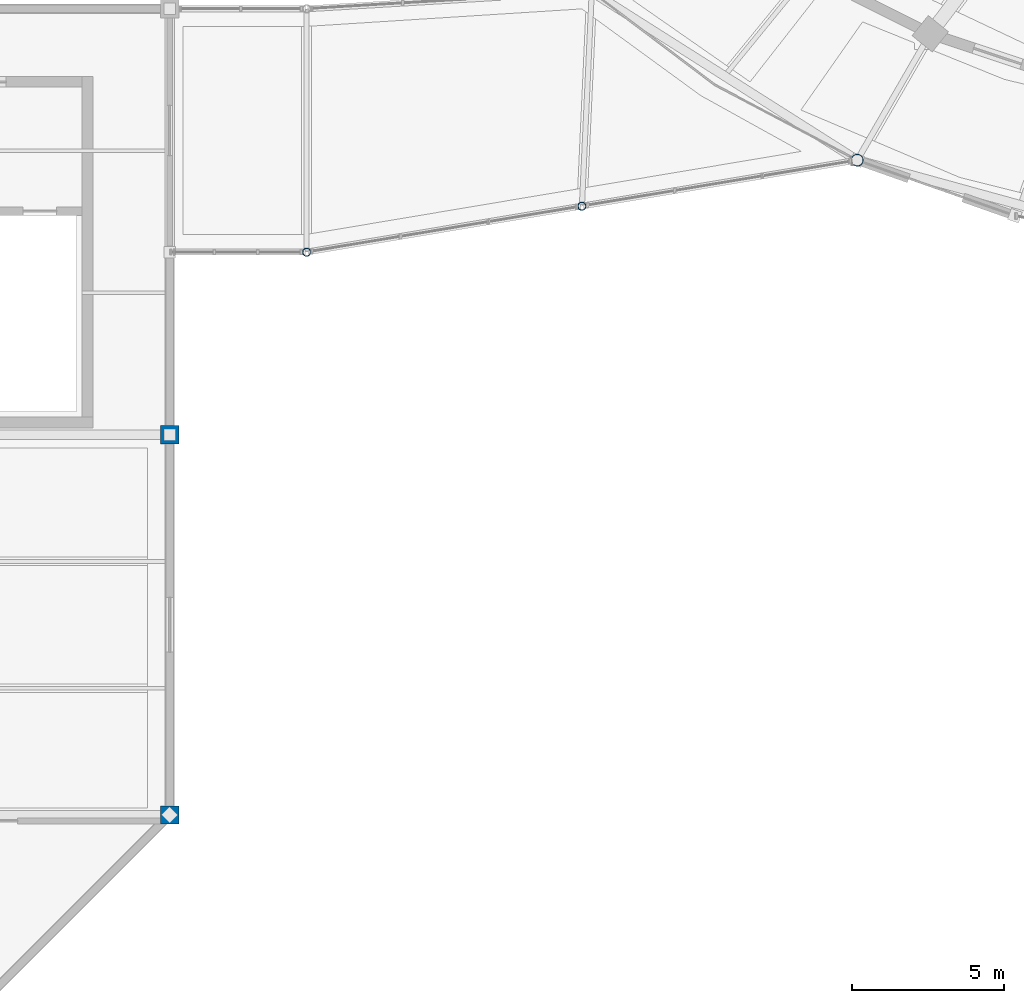
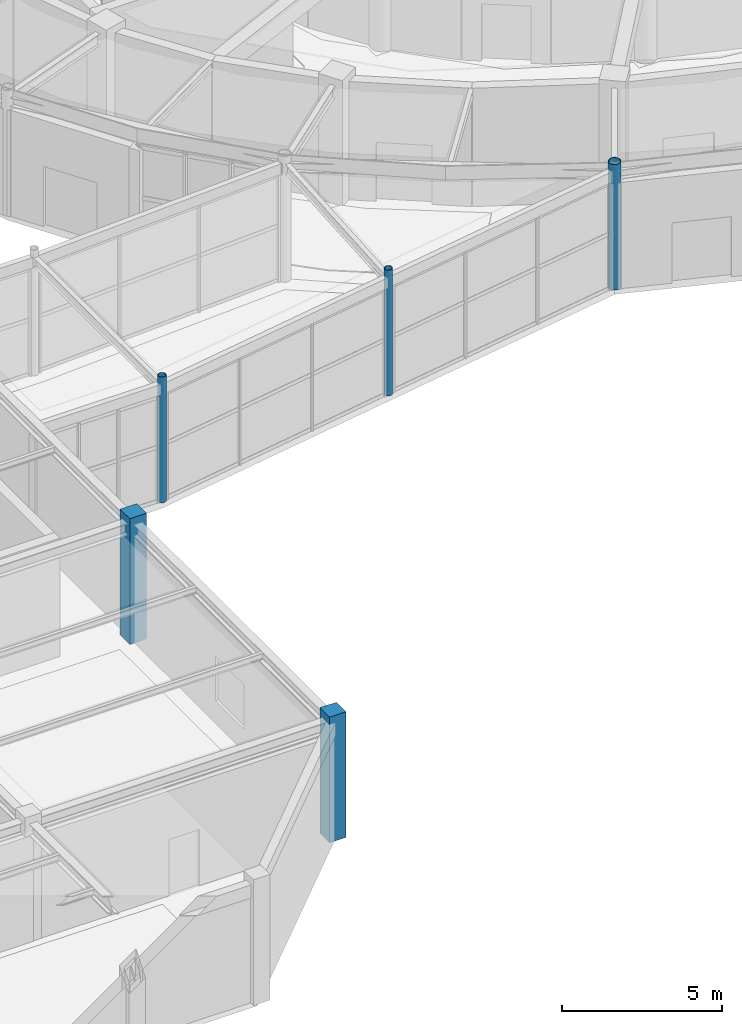
# One storey, part 3 of 108: 5 columns.
"""IFC4 building model written with IfcOpenShell, lengths in metres."""

import ifcopenshell
import ifcopenshell.guid

model = None  # the IFC model being written
_history = None  # IfcOwnerHistory: only IFC2X3 demands one
_inside = {}  # id of a spatial element -> (the spatial element, [elements in it])
_under = {}  # id of a project, library or spatial element -> (it, [spatial elements below it])
_declared = {}  # id of a project -> (the project, [libraries it declares])
_typed = {}  # id of a type object -> (the type object, [elements of that type])
_made_of = {}  # id of a material, layer set ... -> (it, [elements and type objects made of it])


def new_model(schema):
    """Start an empty IFC model of exactly this schema.

    Asked for "IFC4X3", IfcOpenShell would pick the latest addendum, in which some entities
    have other attributes; the version numbers below select the first issue.
    IFC2X3 requires an IfcOwnerHistory on every rooted entity: one is made here for all.
    """
    global model, _history
    if schema == "IFC4X3":
        model = ifcopenshell.file(schema_version=(4, 3, 0, 0))
    else:
        model = ifcopenshell.file(schema=schema)
    _inside.clear()
    _under.clear()
    _declared.clear()
    _typed.clear()
    _made_of.clear()
    _history = None
    if model.schema == "IFC2X3":
        org = make("IfcOrganization", Name="unknown")
        user = make(
            "IfcPersonAndOrganization",
            ThePerson=make("IfcPerson", FamilyName="unknown"),
            TheOrganization=org,
        )
        app = make(
            "IfcApplication",
            ApplicationDeveloper=org,
            Version="unknown",
            ApplicationFullName="unknown",
            ApplicationIdentifier="unknown",
        )
        _history = make(
            "IfcOwnerHistory",
            OwningUser=user,
            OwningApplication=app,
            ChangeAction="ADDED",
            CreationDate=0,
        )
    return model


def make(cls, **values):
    """One entity of the class cls with the attributes given. An attribute that is None is left unset."""
    return model.create_entity(
        cls, **{name: value for name, value in values.items() if value is not None}
    )


def rooted(cls, **values):
    """An entity with a GlobalId (a new one), such as an element, a storey or a relation."""
    return make(cls, GlobalId=ifcopenshell.guid.new(), OwnerHistory=_history, **values)


def si_unit(unit_type, name, prefix=None):
    """IfcSIUnit, for example si_unit("LENGTHUNIT", "METRE", prefix="MILLI")."""
    return make("IfcSIUnit", UnitType=unit_type, Prefix=prefix, Name=name)


def assignment(units):
    """IfcUnitAssignment: the units of a project."""
    return None if units is None else make("IfcUnitAssignment", Units=units)


def point(xyz):
    """IfcCartesianPoint."""
    return None if xyz is None else make("IfcCartesianPoint", Coordinates=xyz)


def direction(xyz):
    """IfcDirection."""
    return None if xyz is None else make("IfcDirection", DirectionRatios=xyz)


def frame(location, z_axis=None, x_axis=None):
    """IfcAxis2Placement3D, a coordinate frame: its origin and axes. An axis left out is left unset."""
    return make(
        "IfcAxis2Placement3D",
        Location=point(location),
        Axis=direction(z_axis),
        RefDirection=direction(x_axis),
    )


def frame_2d(location, x_axis=None):
    """IfcAxis2Placement2D, a coordinate frame in the plane: its origin and x axis."""
    return make(
        "IfcAxis2Placement2D", Location=point(location), RefDirection=direction(x_axis)
    )


def origin():
    """The frame at (0, 0, 0) with its axes left unset."""
    return frame((0.0, 0.0, 0.0))


def origin_2d():
    """The frame at (0, 0) in the plane with its x axis left unset."""
    return frame_2d((0.0, 0.0))


def place(relative_to, where):
    """IfcLocalPlacement: puts the frame where relative to a parent placement (None: the world)."""
    return make(
        "IfcLocalPlacement", PlacementRelTo=relative_to, RelativePlacement=where
    )


def context(
    kind, dimensions, precision=None, world=None, true_north=None, identifier=None
):
    """IfcGeometricRepresentationContext, for example the 3D "Model" context."""
    return make(
        "IfcGeometricRepresentationContext",
        ContextIdentifier=identifier,
        ContextType=kind,
        CoordinateSpaceDimension=dimensions,
        Precision=precision,
        WorldCoordinateSystem=world,
        TrueNorth=true_north,
    )


def subcontext(parent, identifier, kind, view, scale=None):
    """IfcGeometricRepresentationSubContext, for example "Body" below "Model"."""
    return make(
        "IfcGeometricRepresentationSubContext",
        ContextIdentifier=identifier,
        ContextType=kind,
        ParentContext=parent,
        TargetScale=scale,
        TargetView=view,
    )


def project(units=None, contexts=None):
    """IfcProject with its units and contexts."""
    return rooted(
        "IfcProject",
        Name="project",
        RepresentationContexts=contexts,
        UnitsInContext=assignment(units),
    )


def spatial(cls, under=None, at=None, **own):
    """A site, building, storey or space (cls), placed at a placement, below another one or the project."""
    s = rooted(cls, ObjectPlacement=at, **own)
    if under is not None:
        _under.setdefault(under.id(), (under, []))[1].append(s)
    return s


def profile(cls, at=None, kind="AREA", **sizes):
    """A parametric profile (cls). Its sizes go by their IFC names, for example OverallWidth=200.0."""
    return make(cls, ProfileType=kind, Position=at, **sizes)


def rectangle(**sizes):
    """IfcRectangleProfileDef."""
    return profile("IfcRectangleProfileDef", **sizes)


def hollow_circle(**sizes):
    """IfcCircleHollowProfileDef."""
    return profile("IfcCircleHollowProfileDef", **sizes)


def extrude(swept, where, along, depth):
    """IfcExtrudedAreaSolid: the profile swept, set in the frame where, extruded along a direction by depth."""
    return make(
        "IfcExtrudedAreaSolid",
        SweptArea=swept,
        Position=where,
        ExtrudedDirection=direction(along),
        Depth=depth,
    )


def shape(context_of_items, identifier, shape_type, items):
    """IfcShapeRepresentation: the items that make up one representation, for example the "Body"."""
    return make(
        "IfcShapeRepresentation",
        ContextOfItems=context_of_items,
        RepresentationIdentifier=identifier,
        RepresentationType=shape_type,
        Items=items,
    )


def material(Name=None, Category=None):
    """IfcMaterial."""
    return make("IfcMaterial", Name=Name, Category=Category)


def material_profile(
    of_material, cross_section, Name=None, Category=None, Priority=None
):
    """IfcMaterialProfile: a cross section and its material."""
    return make(
        "IfcMaterialProfile",
        Name=Name,
        Material=of_material,
        Profile=cross_section,
        Priority=Priority,
        Category=Category,
    )


def profile_set(profiles, Name=None, composite=None):
    """IfcMaterialProfileSet."""
    return make(
        "IfcMaterialProfileSet",
        Name=Name,
        MaterialProfiles=profiles,
        CompositeProfile=composite,
    )


def made_of(thing, what):
    """Note that an element or type object is made of a material, layer set ...; save() writes the relation."""
    if what is not None:
        _made_of.setdefault(what.id(), (what, []))[1].append(thing)
    return thing


def type_object(cls, material=None, **own):
    """A type object (cls), such as IfcWallType, which elements share."""
    return made_of(rooted(cls, **own), material)


def element(
    cls,
    number,
    at=None,
    inside=None,
    cuts=None,
    type_object=None,
    material=None,
    context=None,
    identifier="Body",
    shape_type=None,
    held_by="IfcProductDefinitionShape",
    body=None,
    shapes=None,
    **own,
):
    """One element of the class cls, such as IfcWall. Its Tag is "e" and its number.

    at: its placement. inside: the storey or other place that contains it. cuts: it is an
    opening in that element (IfcRelVoidsElement). A single representation is given by context,
    identifier, shape_type and body (its items); several are given by shapes. held_by: the class
    of the entity that holds the representations. save() writes the other relations.
    """
    e = rooted(cls, Tag="e%d" % number, ObjectPlacement=at, **own)
    if body is not None:
        shapes = [shape(context, identifier, shape_type, body)]
    if shapes is not None:
        e.Representation = make(held_by, Representations=shapes)
    if inside is not None:
        _inside.setdefault(inside.id(), (inside, []))[1].append(e)
    if cuts is not None:
        rooted(
            "IfcRelVoidsElement", RelatingBuildingElement=cuts, RelatedOpeningElement=e
        )
    if type_object is not None:
        _typed.setdefault(type_object.id(), (type_object, []))[1].append(e)
    return made_of(e, material)


def aggregate(whole, parts):
    """IfcRelAggregates: a whole, such as a stair, and the parts it consists of."""
    return rooted("IfcRelAggregates", RelatingObject=whole, RelatedObjects=parts)


def save(model, path):
    """Write the relations noted so far, then the file.

    IfcRelAggregates (storeys below a building ...), IfcRelContainedInSpatialStructure (elements
    in a storey), IfcRelDefinesByType, IfcRelAssociatesMaterial and IfcRelDeclares: one each for
    every whole, place, type object, material and project.
    """
    for whole, parts in _under.values():
        aggregate(whole, parts)
    for where, things in _inside.values():
        rooted(
            "IfcRelContainedInSpatialStructure",
            RelatedElements=things,
            RelatingStructure=where,
        )
    for kind, things in _typed.values():
        rooted("IfcRelDefinesByType", RelatedObjects=things, RelatingType=kind)
    for what, things in _made_of.values():
        rooted("IfcRelAssociatesMaterial", RelatedObjects=things, RelatingMaterial=what)
    for by, libraries in _declared.values():
        rooted("IfcRelDeclares", RelatingContext=by, RelatedDefinitions=libraries)
    model.write(path)


model = new_model("IFC4")

# Units and contexts
model_context = context("Model", 3, precision=1e-05, world=origin(), true_north=direction((0.0, 1.0)))
body_context = subcontext(model_context, "Body", "Model", "MODEL_VIEW")
ifc_project = project(units=[si_unit("LENGTHUNIT", "METRE"), si_unit("AREAUNIT", "SQUARE_METRE"), si_unit("VOLUMEUNIT", "CUBIC_METRE"), si_unit("PLANEANGLEUNIT", "RADIAN"), si_unit("MASSUNIT", "GRAM", prefix="KILO")], contexts=[model_context])

# Site, building, storey
site_placement = place(None, origin())
site = spatial("IfcSite", under=ifc_project, at=site_placement, CompositionType="ELEMENT")
building_placement = place(site_placement, origin())
building = spatial("IfcBuilding", under=site, at=building_placement, Name="Tarnveldt Headland Concert Hall", CompositionType="ELEMENT")
storey_placement = place(building_placement, origin())
storey = spatial("IfcBuildingStorey", under=building, at=storey_placement, Name="L00", CompositionType="ELEMENT", Elevation=0.0)

# Columns
ifc_material_1 = material(Name="Concrete C40/50", Category="concrete")
ifc_material_profile_1 = material_profile(ifc_material_1, rectangle(XDim=0.60009765625, YDim=0.60009765625, at=origin_2d()), Name="RC 600x600", Category="concrete")
ifc_profile_set_1 = profile_set([ifc_material_profile_1], Name="Concrete C40/50")
column_type_1 = type_object("IfcColumnType", Name="CC-600", PredefinedType="COLUMN", material=ifc_profile_set_1)
for number, where, z_axis, x_axis, name in (
    (1, (44.5, 11.5, 0.0), (0.0, 0.0, 1.0), (1.0, 0.0, 0.0), "Column V4C06 L00"),
    (2, (44.5, 24.0, 0.0), (0.0, 0.0, 1.0), (1.0, 0.0, 0.0), "Column V4C07 L00"),
):
    element("IfcColumn", number, at=place(storey_placement, frame(where, z_axis=z_axis, x_axis=x_axis)), inside=storey, type_object=column_type_1, Name=name, PredefinedType="COLUMN", context=body_context, shape_type="SweptSolid", body=[
        extrude(rectangle(XDim=0.60009765625, YDim=0.60009765625, at=origin_2d()), origin(), (0.0, 0.0, 1.0), 4.800048828125),
    ])
ifc_material_2 = material(Name="Steel S355", Category="steel")
ifc_material_profile_2 = material_profile(ifc_material_2, hollow_circle(Radius=0.136474609375, WallThickness=0.01611328125, at=origin_2d()), Name="CHS 273x16", Category="steel")
ifc_profile_set_2 = profile_set([ifc_material_profile_2], Name="Steel S355")
column_type_2 = type_object("IfcColumnType", Name="SC-CHS273", PredefinedType="COLUMN", material=ifc_profile_set_2)
for number, where, z_axis, x_axis, name in (
    (3, (49.0, 30.0, 0.0), (0.0, 0.0, 1.0), (1.0, 0.0, 0.0), "Column V4LK01 L00"),
    (4, (58.050048828125, 31.51123046875, 0.0), (0.0, 0.0, 1.0), (1.0, 0.0, 0.0), "Column V4LK03 L00"),
):
    element("IfcColumn", number, at=place(storey_placement, frame(where, z_axis=z_axis, x_axis=x_axis)), inside=storey, type_object=column_type_2, Name=name, PredefinedType="COLUMN", context=body_context, shape_type="SweptSolid", body=[
        extrude(hollow_circle(Radius=0.136474609375, WallThickness=0.01611328125, at=origin_2d()), origin(), (0.0, 0.0, 1.0), 4.800048828125),
    ])
ifc_material_profile_3 = material_profile(ifc_material_2, hollow_circle(Radius=0.203125, WallThickness=0.02490234375, at=origin_2d()), Name="CHS 406.4x25", Category="steel")
ifc_profile_set_3 = profile_set([ifc_material_profile_3], Name="Steel S355")
column_type_3 = type_object("IfcColumnType", Name="SC-CHS406", PredefinedType="COLUMN", material=ifc_profile_set_3)
column_placement = place(storey_placement, frame((67.10009765625, 33.022705078125, 0.0), z_axis=(0.0, 0.0, 1.0), x_axis=(-0.606959801962, -0.79473253287, 0.0)))
element("IfcColumn", 5, at=column_placement, inside=storey, type_object=column_type_3, Name="Column V1C13 L00", PredefinedType="COLUMN", context=body_context, shape_type="SweptSolid", body=[
    extrude(hollow_circle(Radius=0.203125, WallThickness=0.02490234375, at=origin_2d()), origin(), (0.0, 0.0, 1.0), 4.800048828125),
])

save(model, "model.ifc")
